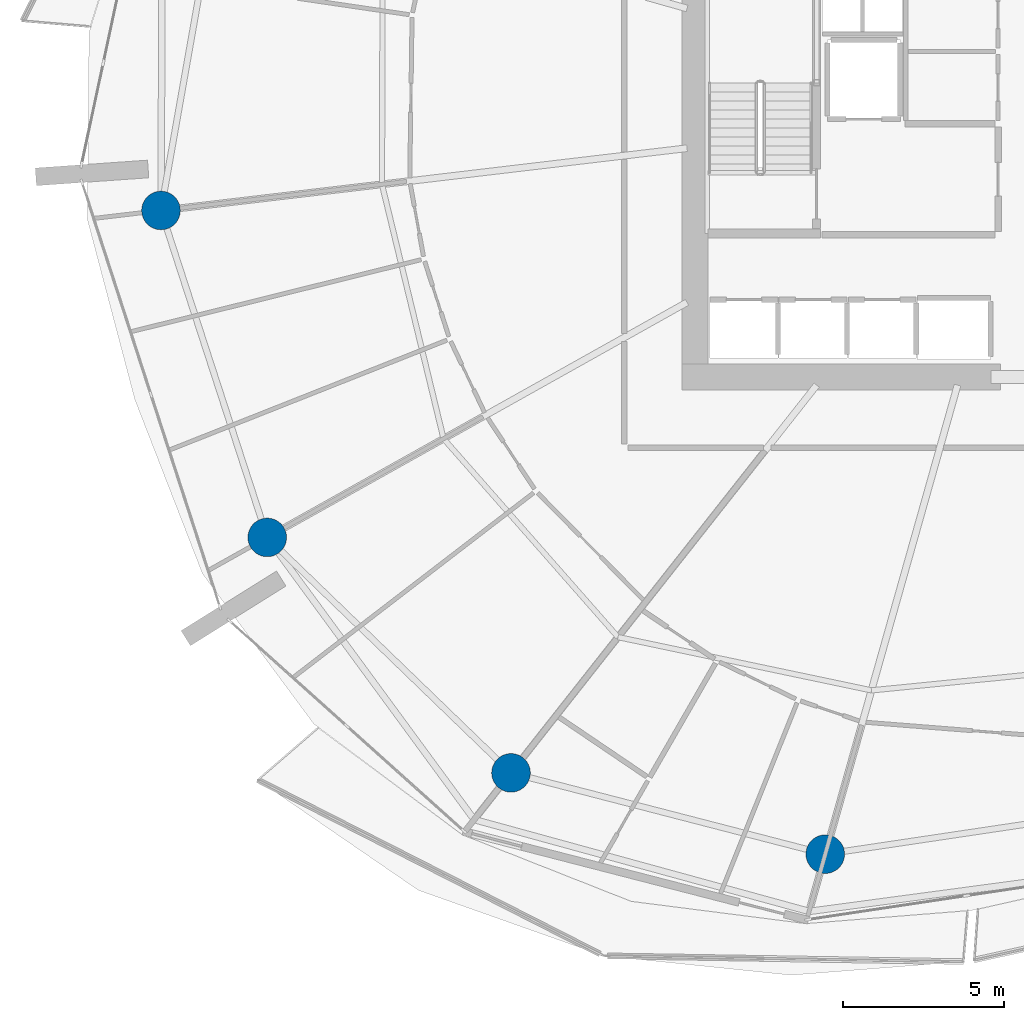
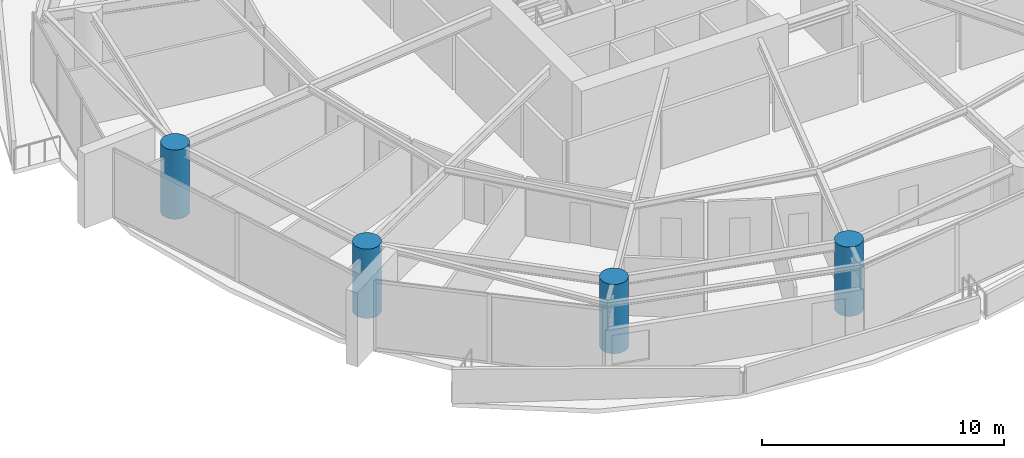
# One storey, part 1 of 22: 4 columns.
"""IFC4 building model written with IfcOpenShell, lengths in metres."""

import ifcopenshell
import ifcopenshell.guid

model = None  # the IFC model being written
_history = None  # IfcOwnerHistory: only IFC2X3 demands one
_inside = {}  # id of a spatial element -> (the spatial element, [elements in it])
_under = {}  # id of a project, library or spatial element -> (it, [spatial elements below it])
_declared = {}  # id of a project -> (the project, [libraries it declares])
_typed = {}  # id of a type object -> (the type object, [elements of that type])
_made_of = {}  # id of a material, layer set ... -> (it, [elements and type objects made of it])


def new_model(schema):
    """Start an empty IFC model of exactly this schema.

    Asked for "IFC4X3", IfcOpenShell would pick the latest addendum, in which some entities
    have other attributes; the version numbers below select the first issue.
    IFC2X3 requires an IfcOwnerHistory on every rooted entity: one is made here for all.
    """
    global model, _history
    if schema == "IFC4X3":
        model = ifcopenshell.file(schema_version=(4, 3, 0, 0))
    else:
        model = ifcopenshell.file(schema=schema)
    _inside.clear()
    _under.clear()
    _declared.clear()
    _typed.clear()
    _made_of.clear()
    _history = None
    if model.schema == "IFC2X3":
        org = make("IfcOrganization", Name="unknown")
        user = make(
            "IfcPersonAndOrganization",
            ThePerson=make("IfcPerson", FamilyName="unknown"),
            TheOrganization=org,
        )
        app = make(
            "IfcApplication",
            ApplicationDeveloper=org,
            Version="unknown",
            ApplicationFullName="unknown",
            ApplicationIdentifier="unknown",
        )
        _history = make(
            "IfcOwnerHistory",
            OwningUser=user,
            OwningApplication=app,
            ChangeAction="ADDED",
            CreationDate=0,
        )
    return model


def make(cls, **values):
    """One entity of the class cls with the attributes given. An attribute that is None is left unset."""
    return model.create_entity(
        cls, **{name: value for name, value in values.items() if value is not None}
    )


def rooted(cls, **values):
    """An entity with a GlobalId (a new one), such as an element, a storey or a relation."""
    return make(cls, GlobalId=ifcopenshell.guid.new(), OwnerHistory=_history, **values)


def si_unit(unit_type, name, prefix=None):
    """IfcSIUnit, for example si_unit("LENGTHUNIT", "METRE", prefix="MILLI")."""
    return make("IfcSIUnit", UnitType=unit_type, Prefix=prefix, Name=name)


def assignment(units):
    """IfcUnitAssignment: the units of a project."""
    return None if units is None else make("IfcUnitAssignment", Units=units)


def point(xyz):
    """IfcCartesianPoint."""
    return None if xyz is None else make("IfcCartesianPoint", Coordinates=xyz)


def direction(xyz):
    """IfcDirection."""
    return None if xyz is None else make("IfcDirection", DirectionRatios=xyz)


def frame(location, z_axis=None, x_axis=None):
    """IfcAxis2Placement3D, a coordinate frame: its origin and axes. An axis left out is left unset."""
    return make(
        "IfcAxis2Placement3D",
        Location=point(location),
        Axis=direction(z_axis),
        RefDirection=direction(x_axis),
    )


def frame_2d(location, x_axis=None):
    """IfcAxis2Placement2D, a coordinate frame in the plane: its origin and x axis."""
    return make(
        "IfcAxis2Placement2D", Location=point(location), RefDirection=direction(x_axis)
    )


def origin():
    """The frame at (0, 0, 0) with its axes left unset."""
    return frame((0.0, 0.0, 0.0))


def origin_2d():
    """The frame at (0, 0) in the plane with its x axis left unset."""
    return frame_2d((0.0, 0.0))


def place(relative_to, where):
    """IfcLocalPlacement: puts the frame where relative to a parent placement (None: the world)."""
    return make(
        "IfcLocalPlacement", PlacementRelTo=relative_to, RelativePlacement=where
    )


def context(
    kind, dimensions, precision=None, world=None, true_north=None, identifier=None
):
    """IfcGeometricRepresentationContext, for example the 3D "Model" context."""
    return make(
        "IfcGeometricRepresentationContext",
        ContextIdentifier=identifier,
        ContextType=kind,
        CoordinateSpaceDimension=dimensions,
        Precision=precision,
        WorldCoordinateSystem=world,
        TrueNorth=true_north,
    )


def subcontext(parent, identifier, kind, view, scale=None):
    """IfcGeometricRepresentationSubContext, for example "Body" below "Model"."""
    return make(
        "IfcGeometricRepresentationSubContext",
        ContextIdentifier=identifier,
        ContextType=kind,
        ParentContext=parent,
        TargetScale=scale,
        TargetView=view,
    )


def project(units=None, contexts=None):
    """IfcProject with its units and contexts."""
    return rooted(
        "IfcProject",
        Name="project",
        RepresentationContexts=contexts,
        UnitsInContext=assignment(units),
    )


def spatial(cls, under=None, at=None, **own):
    """A site, building, storey or space (cls), placed at a placement, below another one or the project."""
    s = rooted(cls, ObjectPlacement=at, **own)
    if under is not None:
        _under.setdefault(under.id(), (under, []))[1].append(s)
    return s


def profile(cls, at=None, kind="AREA", **sizes):
    """A parametric profile (cls). Its sizes go by their IFC names, for example OverallWidth=200.0."""
    return make(cls, ProfileType=kind, Position=at, **sizes)


def circle(**sizes):
    """IfcCircleProfileDef."""
    return profile("IfcCircleProfileDef", **sizes)


def extrude(swept, where, along, depth):
    """IfcExtrudedAreaSolid: the profile swept, set in the frame where, extruded along a direction by depth."""
    return make(
        "IfcExtrudedAreaSolid",
        SweptArea=swept,
        Position=where,
        ExtrudedDirection=direction(along),
        Depth=depth,
    )


def shape(context_of_items, identifier, shape_type, items):
    """IfcShapeRepresentation: the items that make up one representation, for example the "Body"."""
    return make(
        "IfcShapeRepresentation",
        ContextOfItems=context_of_items,
        RepresentationIdentifier=identifier,
        RepresentationType=shape_type,
        Items=items,
    )


def material(Name=None, Category=None):
    """IfcMaterial."""
    return make("IfcMaterial", Name=Name, Category=Category)


def material_profile(
    of_material, cross_section, Name=None, Category=None, Priority=None
):
    """IfcMaterialProfile: a cross section and its material."""
    return make(
        "IfcMaterialProfile",
        Name=Name,
        Material=of_material,
        Profile=cross_section,
        Priority=Priority,
        Category=Category,
    )


def profile_set(profiles, Name=None, composite=None):
    """IfcMaterialProfileSet."""
    return make(
        "IfcMaterialProfileSet",
        Name=Name,
        MaterialProfiles=profiles,
        CompositeProfile=composite,
    )


def made_of(thing, what):
    """Note that an element or type object is made of a material, layer set ...; save() writes the relation."""
    if what is not None:
        _made_of.setdefault(what.id(), (what, []))[1].append(thing)
    return thing


def type_object(cls, material=None, **own):
    """A type object (cls), such as IfcWallType, which elements share."""
    return made_of(rooted(cls, **own), material)


def element(
    cls,
    number,
    at=None,
    inside=None,
    cuts=None,
    type_object=None,
    material=None,
    context=None,
    identifier="Body",
    shape_type=None,
    held_by="IfcProductDefinitionShape",
    body=None,
    shapes=None,
    **own,
):
    """One element of the class cls, such as IfcWall. Its Tag is "e" and its number.

    at: its placement. inside: the storey or other place that contains it. cuts: it is an
    opening in that element (IfcRelVoidsElement). A single representation is given by context,
    identifier, shape_type and body (its items); several are given by shapes. held_by: the class
    of the entity that holds the representations. save() writes the other relations.
    """
    e = rooted(cls, Tag="e%d" % number, ObjectPlacement=at, **own)
    if body is not None:
        shapes = [shape(context, identifier, shape_type, body)]
    if shapes is not None:
        e.Representation = make(held_by, Representations=shapes)
    if inside is not None:
        _inside.setdefault(inside.id(), (inside, []))[1].append(e)
    if cuts is not None:
        rooted(
            "IfcRelVoidsElement", RelatingBuildingElement=cuts, RelatedOpeningElement=e
        )
    if type_object is not None:
        _typed.setdefault(type_object.id(), (type_object, []))[1].append(e)
    return made_of(e, material)


def aggregate(whole, parts):
    """IfcRelAggregates: a whole, such as a stair, and the parts it consists of."""
    return rooted("IfcRelAggregates", RelatingObject=whole, RelatedObjects=parts)


def save(model, path):
    """Write the relations noted so far, then the file.

    IfcRelAggregates (storeys below a building ...), IfcRelContainedInSpatialStructure (elements
    in a storey), IfcRelDefinesByType, IfcRelAssociatesMaterial and IfcRelDeclares: one each for
    every whole, place, type object, material and project.
    """
    for whole, parts in _under.values():
        aggregate(whole, parts)
    for where, things in _inside.values():
        rooted(
            "IfcRelContainedInSpatialStructure",
            RelatedElements=things,
            RelatingStructure=where,
        )
    for kind, things in _typed.values():
        rooted("IfcRelDefinesByType", RelatedObjects=things, RelatingType=kind)
    for what, things in _made_of.values():
        rooted("IfcRelAssociatesMaterial", RelatedObjects=things, RelatingMaterial=what)
    for by, libraries in _declared.values():
        rooted("IfcRelDeclares", RelatingContext=by, RelatedDefinitions=libraries)
    model.write(path)


model = new_model("IFC4")

# Units and contexts
model_context = context("Model", 3, precision=1e-05, world=origin(), true_north=direction((0.0, 1.0)))
body_context = subcontext(model_context, "Body", "Model", "MODEL_VIEW")
ifc_project = project(units=[si_unit("LENGTHUNIT", "METRE"), si_unit("AREAUNIT", "SQUARE_METRE"), si_unit("VOLUMEUNIT", "CUBIC_METRE"), si_unit("PLANEANGLEUNIT", "RADIAN"), si_unit("MASSUNIT", "GRAM", prefix="KILO")], contexts=[model_context])

# Site, building, storey
site_placement = place(None, origin())
site = spatial("IfcSite", under=ifc_project, at=site_placement, CompositionType="ELEMENT")
building_placement = place(site_placement, origin())
building = spatial("IfcBuilding", under=site, at=building_placement, Name="Kazma Halo Residences", CompositionType="ELEMENT")
storey_placement = place(building_placement, frame((0.0, 0.0, 93.89990234375)))
storey = spatial("IfcBuildingStorey", under=building, at=storey_placement, Name="L23", CompositionType="ELEMENT", Elevation=93.89990234375)

# Columns
ifc_material = material(Name="Concrete C80/95", Category="concrete")
ifc_material_profile = material_profile(ifc_material, circle(Radius=0.60009765625, at=origin_2d()), Name="CIRC1200")
ifc_profile_set = profile_set([ifc_material_profile], Name="Concrete C80/95")
column_type = type_object("IfcColumnType", Name="COL-PERIM-1200", PredefinedType="COLUMN", material=ifc_profile_set)
for number, where, z_axis, x_axis, name in (
    (1, (20.79345703125, 38.77978515625, 0.0), (0.0, 0.0, 1.0), (1.0, 0.0, 0.0), "L23 perimeter ring column P08"),
    (2, (24.0966796875, 28.613525390625, 0.0), (0.0, 0.0, 1.0), (1.0, 0.0, 0.0), "L23 perimeter ring column P09"),
    (3, (31.676513671875, 21.293701171875, 0.0), (0.0, 0.0, 1.0), (1.0, 0.0, 0.0), "L23 perimeter ring column P10"),
    (4, (41.447265625, 18.765869140625, 0.0), (0.0, 0.0, 1.0), (1.0, 0.0, 0.0), "L23 perimeter ring column P11"),
):
    element("IfcColumn", number, at=place(storey_placement, frame(where, z_axis=z_axis, x_axis=x_axis)), inside=storey, type_object=column_type, Name=name, PredefinedType="COLUMN", context=body_context, shape_type="SweptSolid", body=[
        extrude(circle(Radius=0.60009765625, at=origin_2d()), origin(), (0.0, 0.0, 1.0), 3.5),
    ])

save(model, "model.ifc")
